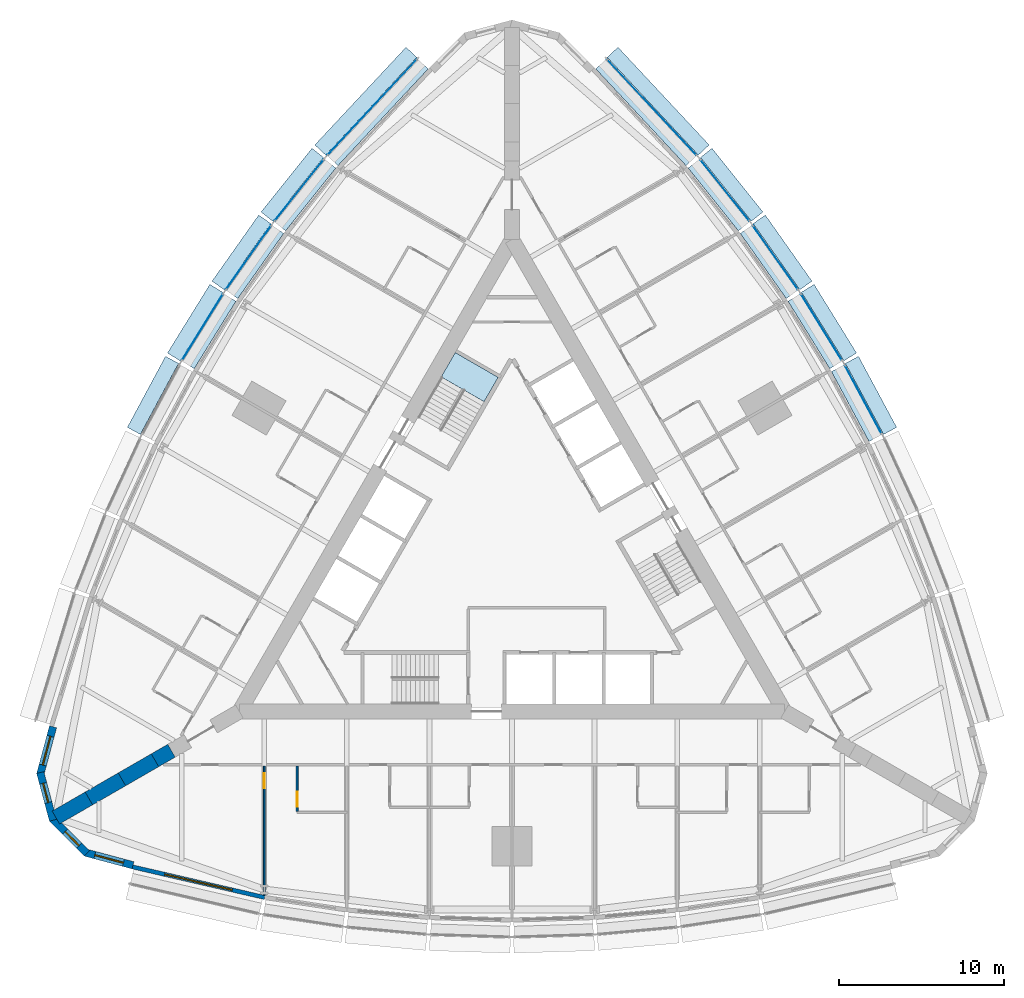
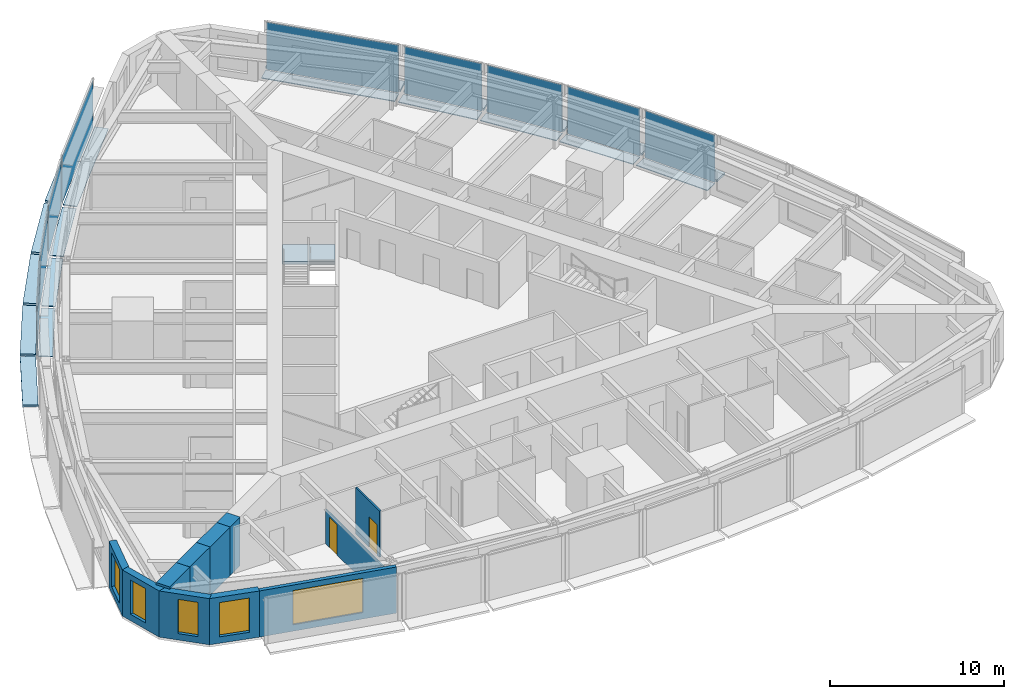
# One storey, part 7 of 14: 28 plates, 11 walls, 5 windows, 2 doors, 1 slab, 7 openings, 10 elements without a shape of their own.
"""IFC4 building model written with IfcOpenShell, lengths in metres."""

from ifc_helpers import new_model, si_unit, direction, frame, frame_2d, origin, origin_2d, place, context, subcontext, project, spatial, polyline, rectangle, outline, extrude, material, layer, layer_set, type_object, element, fill, aggregate, save


model = new_model("IFC4")

# Units and contexts
model_context = context("Model", 3, precision=1e-05, world=origin(), true_north=direction((0.0, 1.0)))
body_context = subcontext(model_context, "Body", "Model", "MODEL_VIEW")
ifc_project = project(units=[si_unit("LENGTHUNIT", "METRE"), si_unit("AREAUNIT", "SQUARE_METRE"), si_unit("VOLUMEUNIT", "CUBIC_METRE"), si_unit("PLANEANGLEUNIT", "RADIAN"), si_unit("MASSUNIT", "GRAM", prefix="KILO")], contexts=[model_context])

# Site, building, storey
site_placement = place(None, origin())
site = spatial("IfcSite", under=ifc_project, at=site_placement, CompositionType="ELEMENT")
building_placement = place(site_placement, origin())
building = spatial("IfcBuilding", under=site, at=building_placement, Name="Trikona Tower", CompositionType="ELEMENT")
storey_placement = place(building_placement, frame((0.0, 0.0, 35.300048828125)))
storey = spatial("IfcBuildingStorey", under=building, at=storey_placement, Name="L07", CompositionType="ELEMENT", Elevation=35.300048828125)

# Plates
ifc_material_1 = material(Name="Aluminium bar grating", Category="aluminium")
ifc_layer_1 = layer(ifc_material_1, 0.050048828125)
ifc_layer_set_1 = layer_set([ifc_layer_1], Name="Cavity catwalk grating")
plate_type_1 = type_object("IfcPlateType", Name="Cavity catwalk grating", PredefinedType="USERDEFINED", material=ifc_layer_set_1)
for number, where, z_axis, x_axis, name in (
    (1, (20.833740234375, 9.127197265625, -0.05029296875), (0.0, 0.0, 1.0), (-0.473422672721, 0.880835383572, 0.0), "Cavity catwalk L07-15"),
    (2, (18.3212890625, 13.47900390625, -0.05029296875), (0.0, 0.0, 1.0), (-0.526118935114, 0.85041099835, 0.0), "Cavity catwalk L07-16"),
):
    element("IfcPlate", number, at=place(storey_placement, frame(where, z_axis=z_axis, x_axis=x_axis)), inside=storey, type_object=plate_type_1, Name=name, ObjectType="CATWALK GRATING", PredefinedType="USERDEFINED", context=body_context, shape_type="SweptSolid", body=[
        extrude(rectangle(XDim=4.80224609375, YDim=0.820068359375, at=origin_2d()), origin(), (0.0, 0.0, 1.0), 0.050048828125),
    ])
plate_1_placement = place(storey_placement, frame((15.544189453125, 17.677734375, -0.05029296875), z_axis=(0.0, 0.0, 1.0), x_axis=(-0.576661909499, 0.816982889743, 0.0)))
element("IfcPlate", 3, at=plate_1_placement, inside=storey, type_object=plate_type_1, Name="Cavity catwalk L07-17", ObjectType="CATWALK GRATING", PredefinedType="USERDEFINED", context=body_context, shape_type="SweptSolid", body=[
    extrude(rectangle(XDim=4.82080078125, YDim=0.820068359375, at=origin_2d()), origin(), (0.0, 0.0, 1.0), 0.050048828125),
])
plate_2_placement = place(storey_placement, frame((12.502197265625, 21.72314453125, -0.05029296875), z_axis=(0.0, 0.0, 1.0), x_axis=(-0.624603618277, 0.780941944087, 0.0)))
element("IfcPlate", 4, at=plate_2_placement, inside=storey, type_object=plate_type_1, Name="Cavity catwalk L07-18", ObjectType="CATWALK GRATING", PredefinedType="USERDEFINED", context=body_context, shape_type="SweptSolid", body=[
    extrude(rectangle(XDim=4.857666015625, YDim=0.820068359375, at=origin_2d()), origin(), (0.0, 0.0, 1.0), 0.050048828125),
])
for number, where, z_axis, x_axis, name in (
    (5, (8.10107421875, 26.72314453125, -0.05029296875), (0.0, 0.0, 1.0), (-0.682298269147, 0.731073916864, 0.0), "Cavity catwalk L07-19"),
    (6, (-8.10107421875, 26.72314453125, -0.05029296875), (0.0, 0.0, 1.0), (-0.682298269147, -0.731073916864, 0.0), "Cavity catwalk L07-24"),
):
    element("IfcPlate", number, at=place(storey_placement, frame(where, z_axis=z_axis, x_axis=x_axis)), inside=storey, type_object=plate_type_1, Name=name, ObjectType="CATWALK GRATING", PredefinedType="USERDEFINED", context=body_context, shape_type="SweptSolid", body=[
        extrude(rectangle(XDim=8.01123046875, YDim=0.820068359375, at=origin_2d()), origin(), (0.0, 0.0, 1.0), 0.050048828125),
    ])
plate_3_placement = place(storey_placement, frame((-12.502197265625, 21.72314453125, -0.05029296875), z_axis=(0.0, 0.0, 1.0), x_axis=(-0.624603618277, -0.780941944087, 0.0)))
element("IfcPlate", 7, at=plate_3_placement, inside=storey, type_object=plate_type_1, Name="Cavity catwalk L07-25", ObjectType="CATWALK GRATING", PredefinedType="USERDEFINED", context=body_context, shape_type="SweptSolid", body=[
    extrude(rectangle(XDim=4.857666015625, YDim=0.820068359375, at=origin_2d()), origin(), (0.0, 0.0, 1.0), 0.050048828125),
])
plate_4_placement = place(storey_placement, frame((-15.544189453125, 17.677734375, -0.05029296875), z_axis=(0.0, 0.0, 1.0), x_axis=(-0.576661909499, -0.816982889743, 0.0)))
element("IfcPlate", 8, at=plate_4_placement, inside=storey, type_object=plate_type_1, Name="Cavity catwalk L07-26", ObjectType="CATWALK GRATING", PredefinedType="USERDEFINED", context=body_context, shape_type="SweptSolid", body=[
    extrude(rectangle(XDim=4.82080078125, YDim=0.820068359375, at=origin_2d()), origin(), (0.0, 0.0, 1.0), 0.050048828125),
])
plate_5_placement = place(storey_placement, frame((-18.3212890625, 13.47900390625, -0.05029296875), z_axis=(0.0, 0.0, 1.0), x_axis=(-0.526118935114, -0.85041099835, 0.0)))
element("IfcPlate", 9, at=plate_5_placement, inside=storey, type_object=plate_type_1, Name="Cavity catwalk L07-27", ObjectType="CATWALK GRATING", PredefinedType="USERDEFINED", context=body_context, shape_type="SweptSolid", body=[
    extrude(rectangle(XDim=4.80224609375, YDim=0.820068359375, at=origin_2d()), origin(), (0.0, 0.0, 1.0), 0.050048828125),
])

# Curtain wall, plate
ifc_material_2 = material(Name="Aluminium curtain wall system", Category="aluminium")
curtain_wall_type = type_object("IfcCurtainWallType", Name="Curtain wall DS1", PredefinedType="NOTDEFINED", material=ifc_material_2)
curtain_wall_1_placement = place(storey_placement, origin())
curtain_wall_1 = element("IfcCurtainWall", 10, at=curtain_wall_1_placement, inside=storey, type_object=curtain_wall_type, Name="Curtain wall DS1 L07", PredefinedType="NOTDEFINED")
ifc_material_3 = material(Name="Laminated clear glass", Category="glass")
ifc_layer_2 = layer(ifc_material_3, 0.028076171875)
ifc_layer_set_2 = layer_set([ifc_layer_2], Name="Glass panel DS1")
plate_type_2 = type_object("IfcPlateType", Name="Glass panel DS1", PredefinedType="CURTAIN_PANEL", material=ifc_layer_set_2)
plate_6_placement = place(storey_placement, frame((21.265380859375, 9.359130859375, 0.0), z_axis=(0.0, 0.0, 1.0), x_axis=(-0.473408350896, 0.880843080975, 0.0)))
plate_6 = element("IfcPlate", 11, at=plate_6_placement, type_object=plate_type_2, Name="CW-DS1 panel 1.1", PredefinedType="CURTAIN_PANEL", context=body_context, shape_type="SweptSolid", body=[
    extrude(rectangle(XDim=4.72216796875, YDim=0.028076171875, at=origin_2d()), origin(), (0.0, 0.0, 1.0), 3.320068359375),
])
aggregate(curtain_wall_1, [plate_6])

curtain_wall_2_placement = place(storey_placement, origin())
curtain_wall_2 = element("IfcCurtainWall", 12, at=curtain_wall_2_placement, inside=storey, type_object=curtain_wall_type, Name="Curtain wall DS1 L07", PredefinedType="NOTDEFINED")
plate_7_placement = place(storey_placement, frame((18.738037109375, 13.73681640625, 0.0), z_axis=(0.0, 0.0, 1.0), x_axis=(-0.526119790842, 0.850410468941, 0.0)))
plate_7 = element("IfcPlate", 13, at=plate_7_placement, type_object=plate_type_2, Name="CW-DS1 panel 1.1", PredefinedType="CURTAIN_PANEL", context=body_context, shape_type="SweptSolid", body=[
    extrude(rectangle(XDim=4.722412109375, YDim=0.028076171875, at=origin_2d()), origin(), (0.0, 0.0, 1.0), 3.320068359375),
])
aggregate(curtain_wall_2, [plate_7])

curtain_wall_3_placement = place(storey_placement, origin())
curtain_wall_3 = element("IfcCurtainWall", 14, at=curtain_wall_3_placement, inside=storey, type_object=curtain_wall_type, Name="Curtain wall DS1 L07", PredefinedType="NOTDEFINED")
plate_8_placement = place(storey_placement, frame((15.9443359375, 17.960205078125, 0.0), z_axis=(0.0, 0.0, 1.0), x_axis=(-0.576658362928, 0.816985393055, 0.0)))
plate_8 = element("IfcPlate", 15, at=plate_8_placement, type_object=plate_type_2, Name="CW-DS1 panel 1.1", PredefinedType="CURTAIN_PANEL", context=body_context, shape_type="SweptSolid", body=[
    extrude(rectangle(XDim=4.74072265625, YDim=0.028076171875, at=origin_2d()), origin(), (0.0, 0.0, 1.0), 3.320068359375),
])
aggregate(curtain_wall_3, [plate_8])

curtain_wall_4_placement = place(storey_placement, origin())
curtain_wall_4 = element("IfcCurtainWall", 16, at=curtain_wall_4_placement, inside=storey, type_object=curtain_wall_type, Name="Curtain wall DS1 L07", PredefinedType="NOTDEFINED")
plate_9_placement = place(storey_placement, frame((12.884765625, 22.029296875, 0.0), z_axis=(0.0, 0.0, 1.0), x_axis=(-0.624608599951, 0.780937959679, 0.0)))
plate_9 = element("IfcPlate", 17, at=plate_9_placement, type_object=plate_type_2, Name="CW-DS1 panel 1.1", PredefinedType="CURTAIN_PANEL", context=body_context, shape_type="SweptSolid", body=[
    extrude(rectangle(XDim=4.777587890625, YDim=0.028076171875, at=origin_2d()), origin(), (0.0, 0.0, 1.0), 3.320068359375),
])
aggregate(curtain_wall_4, [plate_9])

curtain_wall_5_placement = place(storey_placement, origin())
curtain_wall_5 = element("IfcCurtainWall", 18, at=curtain_wall_5_placement, inside=storey, type_object=curtain_wall_type, Name="Curtain wall DS1 L07", PredefinedType="NOTDEFINED")
plate_10_placement = place(storey_placement, frame((8.459228515625, 27.057373046875, 0.0), z_axis=(0.0, 0.0, 1.0), x_axis=(-0.682295351967, 0.731076639405, 0.0)))
plate_10 = element("IfcPlate", 19, at=plate_10_placement, type_object=plate_type_2, Name="CW-DS1 panel 1.1", PredefinedType="CURTAIN_PANEL", context=body_context, shape_type="SweptSolid", body=[
    extrude(rectangle(XDim=7.93115234375, YDim=0.028076171875, at=origin_2d()), origin(), (0.0, 0.0, 1.0), 3.320068359375),
])
aggregate(curtain_wall_5, [plate_10])

curtain_wall_6_placement = place(storey_placement, origin())
curtain_wall_6 = element("IfcCurtainWall", 20, at=curtain_wall_6_placement, inside=storey, type_object=curtain_wall_type, Name="Curtain wall DS1 L07", PredefinedType="NOTDEFINED")
plate_11_placement = place(storey_placement, frame((-8.459228515625, 27.057373046875, 0.0), z_axis=(0.0, 0.0, 1.0), x_axis=(-0.682295351967, -0.731076639405, 0.0)))
plate_11 = element("IfcPlate", 21, at=plate_11_placement, type_object=plate_type_2, Name="CW-DS1 panel 1.1", PredefinedType="CURTAIN_PANEL", context=body_context, shape_type="SweptSolid", body=[
    extrude(rectangle(XDim=7.93115234375, YDim=0.028076171875, at=origin_2d()), origin(), (0.0, 0.0, 1.0), 3.320068359375),
])
aggregate(curtain_wall_6, [plate_11])

curtain_wall_7_placement = place(storey_placement, origin())
curtain_wall_7 = element("IfcCurtainWall", 22, at=curtain_wall_7_placement, inside=storey, type_object=curtain_wall_type, Name="Curtain wall DS1 L07", PredefinedType="NOTDEFINED")
plate_12_placement = place(storey_placement, frame((-12.884765625, 22.029296875, 0.0), z_axis=(0.0, 0.0, 1.0), x_axis=(-0.624608599951, -0.780937959679, 0.0)))
plate_12 = element("IfcPlate", 23, at=plate_12_placement, type_object=plate_type_2, Name="CW-DS1 panel 1.1", PredefinedType="CURTAIN_PANEL", context=body_context, shape_type="SweptSolid", body=[
    extrude(rectangle(XDim=4.777587890625, YDim=0.028076171875, at=origin_2d()), origin(), (0.0, 0.0, 1.0), 3.320068359375),
])
aggregate(curtain_wall_7, [plate_12])

curtain_wall_8_placement = place(storey_placement, origin())
curtain_wall_8 = element("IfcCurtainWall", 24, at=curtain_wall_8_placement, inside=storey, type_object=curtain_wall_type, Name="Curtain wall DS1 L07", PredefinedType="NOTDEFINED")
plate_13_placement = place(storey_placement, frame((-15.9443359375, 17.960205078125, 0.0), z_axis=(0.0, 0.0, 1.0), x_axis=(-0.576658362928, -0.816985393055, 0.0)))
plate_13 = element("IfcPlate", 25, at=plate_13_placement, type_object=plate_type_2, Name="CW-DS1 panel 1.1", PredefinedType="CURTAIN_PANEL", context=body_context, shape_type="SweptSolid", body=[
    extrude(rectangle(XDim=4.74072265625, YDim=0.028076171875, at=origin_2d()), origin(), (0.0, 0.0, 1.0), 3.320068359375),
])
aggregate(curtain_wall_8, [plate_13])

curtain_wall_9_placement = place(storey_placement, origin())
curtain_wall_9 = element("IfcCurtainWall", 26, at=curtain_wall_9_placement, inside=storey, type_object=curtain_wall_type, Name="Curtain wall DS1 L07", PredefinedType="NOTDEFINED")
plate_14_placement = place(storey_placement, frame((-18.738037109375, 13.73681640625, 0.0), z_axis=(0.0, 0.0, 1.0), x_axis=(-0.526119790842, -0.850410468941, 0.0)))
plate_14 = element("IfcPlate", 27, at=plate_14_placement, type_object=plate_type_2, Name="CW-DS1 panel 1.1", PredefinedType="CURTAIN_PANEL", context=body_context, shape_type="SweptSolid", body=[
    extrude(rectangle(XDim=4.722412109375, YDim=0.028076171875, at=origin_2d()), origin(), (0.0, 0.0, 1.0), 3.320068359375),
])
aggregate(curtain_wall_9, [plate_14])

# Plates
ifc_material_4 = material(Name="Aluminium plate fin, pale anodised, on stainless steel outriggers", Category="steel")
ifc_layer_3 = layer(ifc_material_4, 0.14990234375)
ifc_layer_set_3 = layer_set([ifc_layer_3], Name="Outer skin fin 900")
plate_type_3 = type_object("IfcPlateType", Name="Outer skin fin 900", PredefinedType="USERDEFINED", material=ifc_layer_set_3)
for number, where, z_axis, x_axis, name in (
    (28, (21.732421875, 9.610107421875, 0.0), (0.0, 0.0, 1.0), (-0.473422672721, 0.880835383572, 0.0), "Outer skin fin L07-15"),
    (29, (19.188720703125, 14.015625, 0.0), (0.0, 0.0, 1.0), (-0.526118935114, 0.85041099835, 0.0), "Outer skin fin L07-16"),
):
    element("IfcPlate", number, at=place(storey_placement, frame(where, z_axis=z_axis, x_axis=x_axis)), inside=storey, type_object=plate_type_3, Name=name, ObjectType="FIN", PredefinedType="USERDEFINED", context=body_context, shape_type="SweptSolid", body=[
        extrude(rectangle(XDim=4.88232421875, YDim=0.89990234375, at=origin_2d()), origin(), (0.0, 0.0, 1.0), 0.14990234375),
    ])
plate_15_placement = place(storey_placement, frame((16.37744140625, 18.265869140625, 0.0), z_axis=(0.0, 0.0, 1.0), x_axis=(-0.576661909499, 0.816982889743, 0.0)))
element("IfcPlate", 30, at=plate_15_placement, inside=storey, type_object=plate_type_3, Name="Outer skin fin L07-17", ObjectType="FIN", PredefinedType="USERDEFINED", context=body_context, shape_type="SweptSolid", body=[
    extrude(rectangle(XDim=4.90087890625, YDim=0.89990234375, at=origin_2d()), origin(), (0.0, 0.0, 1.0), 0.14990234375),
])
plate_16_placement = place(storey_placement, frame((13.298583984375, 22.360107421875, 0.0), z_axis=(0.0, 0.0, 1.0), x_axis=(-0.624603618277, 0.780941944087, 0.0)))
element("IfcPlate", 31, at=plate_16_placement, inside=storey, type_object=plate_type_3, Name="Outer skin fin L07-18", ObjectType="FIN", PredefinedType="USERDEFINED", context=body_context, shape_type="SweptSolid", body=[
    extrude(rectangle(XDim=4.9375, YDim=0.89990234375, at=origin_2d()), origin(), (0.0, 0.0, 1.0), 0.14990234375),
])
for number, where, z_axis, x_axis, name in (
    (32, (8.8466796875, 27.419189453125, 0.0), (0.0, 0.0, 1.0), (-0.682298269147, 0.731073916864, 0.0), "Outer skin fin L07-19"),
    (33, (-8.8466796875, 27.419189453125, 0.0), (0.0, 0.0, 1.0), (-0.682298269147, -0.731073916864, 0.0), "Outer skin fin L07-24"),
):
    element("IfcPlate", number, at=place(storey_placement, frame(where, z_axis=z_axis, x_axis=x_axis)), inside=storey, type_object=plate_type_3, Name=name, ObjectType="FIN", PredefinedType="USERDEFINED", context=body_context, shape_type="SweptSolid", body=[
        extrude(rectangle(XDim=8.09130859375, YDim=0.89990234375, at=origin_2d()), origin(), (0.0, 0.0, 1.0), 0.14990234375),
    ])
plate_17_placement = place(storey_placement, frame((-13.298583984375, 22.360107421875, 0.0), z_axis=(0.0, 0.0, 1.0), x_axis=(-0.624603618277, -0.780941944087, 0.0)))
element("IfcPlate", 34, at=plate_17_placement, inside=storey, type_object=plate_type_3, Name="Outer skin fin L07-25", ObjectType="FIN", PredefinedType="USERDEFINED", context=body_context, shape_type="SweptSolid", body=[
    extrude(rectangle(XDim=4.9375, YDim=0.89990234375, at=origin_2d()), origin(), (0.0, 0.0, 1.0), 0.14990234375),
])
plate_18_placement = place(storey_placement, frame((-16.37744140625, 18.265869140625, 0.0), z_axis=(0.0, 0.0, 1.0), x_axis=(-0.576661909499, -0.816982889743, 0.0)))
element("IfcPlate", 35, at=plate_18_placement, inside=storey, type_object=plate_type_3, Name="Outer skin fin L07-26", ObjectType="FIN", PredefinedType="USERDEFINED", context=body_context, shape_type="SweptSolid", body=[
    extrude(rectangle(XDim=4.90087890625, YDim=0.89990234375, at=origin_2d()), origin(), (0.0, 0.0, 1.0), 0.14990234375),
])
for number, where, z_axis, x_axis, name in (
    (36, (-19.188720703125, 14.015625, 0.0), (0.0, 0.0, 1.0), (-0.526118935114, -0.85041099835, 0.0), "Outer skin fin L07-27"),
    (37, (-21.732421875, 9.610107421875, 0.0), (0.0, 0.0, 1.0), (-0.473422672721, -0.880835383572, 0.0), "Outer skin fin L07-28"),
):
    element("IfcPlate", number, at=place(storey_placement, frame(where, z_axis=z_axis, x_axis=x_axis)), inside=storey, type_object=plate_type_3, Name=name, ObjectType="FIN", PredefinedType="USERDEFINED", context=body_context, shape_type="SweptSolid", body=[
        extrude(rectangle(XDim=4.88232421875, YDim=0.89990234375, at=origin_2d()), origin(), (0.0, 0.0, 1.0), 0.14990234375),
    ])

# Stair, slab
ifc_material_5 = material(Name="Concrete f'c 5000 psi", Category="concrete")
stair_type = type_object("IfcStairType", Name="Core stair", PredefinedType="HALF_TURN_STAIR", material=ifc_material_5)
stair_placement = place(storey_placement, origin())
stair = element("IfcStair", 38, at=stair_placement, inside=storey, type_object=stair_type, Name="Stair C L07", PredefinedType="HALF_TURN_STAIR")
ifc_material_6 = material(Name="Concrete f'c 5000 psi", Category="concrete")
ifc_layer_4 = layer(ifc_material_6, 0.199951171875)
ifc_layer_set_4 = layer_set([ifc_layer_4], Name="Stair landing 200")
slab_type = type_object("IfcSlabType", Name="Stair landing 200", PredefinedType="LANDING", material=ifc_layer_set_4)
slab_placement = place(storey_placement, frame((0.0, 0.0, 1.5)))
slab = element("IfcSlab", 39, at=slab_placement, type_object=slab_type, Name="ST-C landing 2", PredefinedType="LANDING", context=body_context, shape_type="SweptSolid", body=[
    extrude(outline(polyline([(-0.837158203125, 10.702392578125), (-1.688720703125, 9.2275390625), (-4.286865234375, 10.7275390625), (-3.435302734375, 12.202392578125), (-0.837158203125, 10.702392578125)])), origin(), (0.0, 0.0, 1.0), 0.199951171875),
])
aggregate(stair, [slab])

# Wall, opening, door
ifc_material_7 = material(Name="Metal stud and cement board", Category="gypsum")
ifc_layer_5 = layer(ifc_material_7, 0.1201171875)
ifc_layer_set_5 = layer_set([ifc_layer_5], Name="Bathroom wall 120")
wall_type_1 = type_object("IfcWallType", Name="Bathroom wall 120", PredefinedType="PLUMBINGWALL", material=ifc_layer_set_5)
wall_1_placement = place(storey_placement, frame((-13.0, -12.826416015625, 0.0), z_axis=(0.0, 0.0, 1.0), x_axis=(0.0, -1.0, 0.0)))
wall_1 = element("IfcWall", 40, at=wall_1_placement, inside=storey, type_object=wall_type_1, Name="Bathroom wall 0701.1", PredefinedType="PLUMBINGWALL", context=body_context, shape_type="SweptSolid", body=[
    extrude(rectangle(XDim=2.739990234375, YDim=0.1201171875, at=frame_2d((1.3701171875, 0.0))), origin(), (0.0, 0.0, 1.0), 3.23486328125),
])
opening_1_placement = place(wall_1_placement, frame((1.550048828125, 0.0, 0.0)))
opening_1 = element("IfcOpeningElement", 41, at=opening_1_placement, cuts=wall_1, Name="Opening D2", PredefinedType="OPENING", context=body_context, shape_type="SweptSolid", body=[
    extrude(rectangle(XDim=0.89990234375, YDim=2.1298828125, at=frame_2d((0.449951171875, 1.06494140625))), frame((0.0, 0.070068359375, 0.0), z_axis=(0.0, -1.0, 0.0), x_axis=(1.0, 0.0, 0.0)), (0.0, 0.0, 1.0), 0.14013671875),
])
ifc_material_8 = material(Name="Steel door frame with solid-core timber leaf", Category="steel")
door_type_1 = type_object("IfcDoorType", Name="Bathroom door 900x2130", OperationType="SLIDING_TO_LEFT", PredefinedType="DOOR", material=ifc_material_8)
door_1_placement = place(opening_1_placement, origin())
door_1 = element("IfcDoor", 42, at=door_1_placement, inside=storey, type_object=door_type_1, Name="Bathroom door 0701.1", OperationType="SLIDING_TO_LEFT", OverallHeight=2.1298828125, OverallWidth=0.89990234375, PredefinedType="DOOR", context=body_context, shape_type="SweptSolid", body=[
    extrude(rectangle(XDim=0.89990234375, YDim=2.1298828125, at=frame_2d((0.449951171875, 1.06494140625))), frame((0.0, 0.02490234375, 0.0), z_axis=(0.0, -1.0, 0.0), x_axis=(1.0, 0.0, 0.0)), (0.0, 0.0, 1.0), 0.050048828125),
])
fill(opening_1, door_1)

# Wall, opening, window
ifc_material_9 = material(Name="Brick-faced precast concrete", Category="masonry")
ifc_layer_6 = layer(ifc_material_9, 0.449951171875)
ifc_layer_set_6 = layer_set([ifc_layer_6], Name="Brick-faced corner wall 450")
wall_type_2 = type_object("IfcWallType", Name="Brick-faced corner wall 450", PredefinedType="SOLIDWALL", material=ifc_layer_set_6)
wall_2_placement = place(storey_placement, frame((-27.78271484375, -10.450439453125, 0.0), z_axis=(0.0, 0.0, 1.0), x_axis=(-0.258780998834, -0.965936019953, 0.0)))
wall_2 = element("IfcWall", 43, at=wall_2_placement, inside=storey, type_object=wall_type_2, Name="External wall L07-32", PredefinedType="SOLIDWALL", context=body_context, shape_type="SweptSolid", body=[
    extrude(rectangle(XDim=2.98876953125, YDim=0.449951171875, at=frame_2d((1.494384765625, 0.0))), origin(), (0.0, 0.0, 1.0), 3.23486328125),
])
opening_2_placement = place(wall_2_placement, frame((0.59423828125, 0.0, 0.449951171875)))
opening_2 = element("IfcOpeningElement", 44, at=opening_2_placement, cuts=wall_2, Name="Opening W1824", PredefinedType="OPENING", context=body_context, shape_type="SweptSolid", body=[
    extrude(rectangle(XDim=1.800048828125, YDim=2.39990234375, at=frame_2d((0.89990234375, 1.199951171875))), frame((0.0, 0.23486328125, 0.0), z_axis=(0.0, -1.0, 0.0), x_axis=(1.0, 0.0, 0.0)), (0.0, 0.0, 1.0), 0.469970703125),
])
ifc_material_10 = material(Name="Aluminium-framed double glazing", Category="aluminium")
window_type_1 = type_object("IfcWindowType", Name="Window 1800x2400", PartitioningType="SINGLE_PANEL", PredefinedType="WINDOW", material=ifc_material_10)
window_1_placement = place(opening_2_placement, origin())
window_1 = element("IfcWindow", 45, at=window_1_placement, inside=storey, type_object=window_type_1, Name="Window 0718", OverallHeight=2.39990234375, OverallWidth=1.800048828125, PartitioningType="SINGLE_PANEL", PredefinedType="WINDOW", context=body_context, shape_type="SweptSolid", body=[
    extrude(rectangle(XDim=1.800048828125, YDim=2.39990234375, at=frame_2d((0.89990234375, 1.199951171875))), frame((0.0, 0.030029296875, 0.0), z_axis=(0.0, -1.0, 0.0), x_axis=(1.0, 0.0, 0.0)), (0.0, 0.0, 1.0), 0.06005859375),
])
fill(opening_2, window_1)

wall_3_placement = place(storey_placement, frame((-28.55615234375, -13.220947265625, 0.0), z_axis=(0.0, 0.0, 1.0), x_axis=(0.258801419081, -0.965930548995, 0.0)))
wall_3 = element("IfcWall", 46, at=wall_3_placement, inside=storey, type_object=wall_type_2, Name="External wall L07-33", PredefinedType="SOLIDWALL", context=body_context, shape_type="SweptSolid", body=[
    extrude(outline(polyline([(2.988525390625, 0.22509765625), (2.928955078125, 0.22509765625), (2.437255859375, 0.09326171875), (2.402099609375, 0.22509765625), (0.0, 0.22509765625), (0.0, -0.22509765625), (2.988525390625, -0.22509765625), (2.988525390625, 0.22509765625)])), origin(), (0.0, 0.0, 1.0), 3.23486328125),
])
opening_3_placement = place(wall_3_placement, frame((0.676025390625, 0.0, 0.449951171875)))
opening_3 = element("IfcOpeningElement", 47, at=opening_3_placement, cuts=wall_3, Name="Opening W1224", PredefinedType="OPENING", context=body_context, shape_type="SweptSolid", body=[
    extrude(rectangle(XDim=1.199951171875, YDim=2.39990234375, at=frame_2d((0.60009765625, 1.199951171875))), frame((0.0, 0.23486328125, 0.0), z_axis=(0.0, -1.0, 0.0), x_axis=(1.0, 0.0, 0.0)), (0.0, 0.0, 1.0), 0.469970703125),
])
ifc_material_11 = material(Name="Aluminium-framed double glazing", Category="aluminium")
window_type_2 = type_object("IfcWindowType", Name="Window 1200x2400", PartitioningType="SINGLE_PANEL", PredefinedType="WINDOW", material=ifc_material_11)
window_2_placement = place(opening_3_placement, origin())
window_2 = element("IfcWindow", 48, at=window_2_placement, inside=storey, type_object=window_type_2, Name="Window 0718", OverallHeight=2.39990234375, OverallWidth=1.199951171875, PartitioningType="SINGLE_PANEL", PredefinedType="WINDOW", context=body_context, shape_type="SweptSolid", body=[
    extrude(rectangle(XDim=1.199951171875, YDim=2.39990234375, at=frame_2d((0.60009765625, 1.199951171875))), frame((0.0, 0.030029296875, 0.0), z_axis=(0.0, -1.0, 0.0), x_axis=(1.0, 0.0, 0.0)), (0.0, 0.0, 1.0), 0.06005859375),
])
fill(opening_3, window_2)

wall_4_placement = place(storey_placement, frame((-27.8408203125, -16.006591796875, 0.0), z_axis=(0.0, 0.0, 1.0), x_axis=(0.707025086683, -0.707188466253, 0.0)))
wall_4 = element("IfcWall", 49, at=wall_4_placement, inside=storey, type_object=wall_type_2, Name="External wall L07-34", PredefinedType="SOLIDWALL", context=body_context, shape_type="SweptSolid", body=[
    extrude(outline(polyline([(2.988525390625, 0.22509765625), (0.58642578125, 0.22509765625), (0.551025390625, 0.093017578125), (0.058837890625, 0.22509765625), (0.0, 0.22509765625), (0.0, -0.22509765625), (2.988525390625, -0.22509765625), (2.988525390625, 0.22509765625)])), origin(), (0.0, 0.0, 1.0), 3.23486328125),
])
opening_4_placement = place(wall_4_placement, frame((1.112548828125, 0.0, 0.449951171875)))
opening_4 = element("IfcOpeningElement", 50, at=opening_4_placement, cuts=wall_4, Name="Opening W1224", PredefinedType="OPENING", context=body_context, shape_type="SweptSolid", body=[
    extrude(rectangle(XDim=1.199951171875, YDim=2.39990234375, at=frame_2d((0.60009765625, 1.199951171875))), frame((0.0, 0.23486328125, 0.0), z_axis=(0.0, -1.0, 0.0), x_axis=(1.0, 0.0, 0.0)), (0.0, 0.0, 1.0), 0.469970703125),
])
window_3_placement = place(opening_4_placement, origin())
window_3 = element("IfcWindow", 51, at=window_3_placement, inside=storey, type_object=window_type_2, Name="Window 0701", OverallHeight=2.39990234375, OverallWidth=1.199951171875, PartitioningType="SINGLE_PANEL", PredefinedType="WINDOW", context=body_context, shape_type="SweptSolid", body=[
    extrude(rectangle(XDim=1.199951171875, YDim=2.39990234375, at=frame_2d((0.60009765625, 1.199951171875))), frame((0.0, 0.030029296875, 0.0), z_axis=(0.0, -1.0, 0.0), x_axis=(1.0, 0.0, 0.0)), (0.0, 0.0, 1.0), 0.06005859375),
])
fill(opening_4, window_3)

wall_5_placement = place(storey_placement, frame((-25.82861328125, -18.061767578125, 0.0), z_axis=(0.0, 0.0, 1.0), x_axis=(0.965930548995, -0.258801419081, 0.0)))
wall_5 = element("IfcWall", 52, at=wall_5_placement, inside=storey, type_object=wall_type_2, Name="External wall L07-35", PredefinedType="SOLIDWALL", context=body_context, shape_type="SweptSolid", body=[
    extrude(rectangle(XDim=2.988525390625, YDim=0.449951171875, at=frame_2d((1.494140625, 0.0))), origin(), (0.0, 0.0, 1.0), 3.23486328125),
])
opening_5_placement = place(wall_5_placement, frame((0.59423828125, 0.0, 0.449951171875)))
opening_5 = element("IfcOpeningElement", 53, at=opening_5_placement, cuts=wall_5, Name="Opening W1824", PredefinedType="OPENING", context=body_context, shape_type="SweptSolid", body=[
    extrude(rectangle(XDim=1.800048828125, YDim=2.39990234375, at=frame_2d((0.89990234375, 1.199951171875))), frame((0.0, 0.23486328125, 0.0), z_axis=(0.0, -1.0, 0.0), x_axis=(1.0, 0.0, 0.0)), (0.0, 0.0, 1.0), 0.469970703125),
])
window_4_placement = place(opening_5_placement, origin())
window_4 = element("IfcWindow", 54, at=window_4_placement, inside=storey, type_object=window_type_1, Name="Window 0701", OverallHeight=2.39990234375, OverallWidth=1.800048828125, PartitioningType="SINGLE_PANEL", PredefinedType="WINDOW", context=body_context, shape_type="SweptSolid", body=[
    extrude(rectangle(XDim=1.800048828125, YDim=2.39990234375, at=frame_2d((0.89990234375, 1.199951171875))), frame((0.0, 0.030029296875, 0.0), z_axis=(0.0, -1.0, 0.0), x_axis=(1.0, 0.0, 0.0)), (0.0, 0.0, 1.0), 0.06005859375),
])
fill(opening_5, window_4)

# Walls
ifc_material_12 = material(Name="Concrete f'c 10000 psi", Category="concrete")
ifc_layer_7 = layer(ifc_material_12, 0.89990234375)
ifc_layer_set_7 = layer_set([ifc_layer_7], Name="Buttress wall 900")
wall_type_3 = type_object("IfcWallType", Name="Buttress wall 900", PredefinedType="SHEAR", material=ifc_layer_set_7)
wall_6_placement = place(storey_placement, frame((-20.6103515625, -11.8994140625, 0.0), z_axis=(0.0, 0.0, 1.0), x_axis=(-0.866009537788, -0.500027479704, 0.0)))
element("IfcWall", 55, at=wall_6_placement, inside=storey, type_object=wall_type_3, Name="Buttress wall 3 part 2", PredefinedType="SHEAR", context=body_context, shape_type="SweptSolid", body=[
    extrude(rectangle(XDim=1.15478515625, YDim=0.89990234375, at=frame_2d((0.577392578125, 0.0))), origin(), (0.0, 0.0, 1.0), 3.39990234375),
])
for number, where, z_axis, x_axis, name in (
    (56, (-21.6103515625, -12.476806640625, 0.0), (0.0, 0.0, 1.0), (-0.866055313784, -0.499948190782, 0.0), "Buttress wall 3 part 3"),
    (57, (-23.6103515625, -13.63134765625, 0.0), (0.0, 0.0, 1.0), (-0.866009537788, -0.500027479704, 0.0), "Buttress wall 3 part 4"),
    (58, (-25.6103515625, -14.7861328125, 0.0), (0.0, 0.0, 1.0), (-0.866009537788, -0.500027479704, 0.0), "Buttress wall 3 part 5"),
):
    element("IfcWall", number, at=place(storey_placement, frame(where, z_axis=z_axis, x_axis=x_axis)), inside=storey, type_object=wall_type_3, Name=name, PredefinedType="SHEAR", context=body_context, shape_type="SweptSolid", body=[
        extrude(rectangle(XDim=2.309326171875, YDim=0.89990234375, at=frame_2d((1.15478515625, 0.0))), origin(), (0.0, 0.0, 1.0), 3.39990234375),
    ])

# Wall, opening, window
ifc_material_13 = material(Name="Insulated precast concrete spandrel panel", Category="concrete")
ifc_layer_8 = layer(ifc_material_13, 0.25)
ifc_layer_set_8 = layer_set([ifc_layer_8], Name="Inner skin wall 250")
wall_type_4 = type_object("IfcWallType", Name="Inner skin wall 250", PredefinedType="STANDARD", material=ifc_layer_set_8)
wall_7_placement = place(storey_placement, frame((-22.9716796875, -18.930908203125, 0.0), z_axis=(0.0, 0.0, 1.0), x_axis=(0.974279327392, -0.225343720163, 0.0)))
wall_7 = element("IfcWall", 59, at=wall_7_placement, inside=storey, type_object=wall_type_4, Name="External wall L07-00", PredefinedType="STANDARD", context=body_context, shape_type="SweptSolid", body=[
    extrude(rectangle(XDim=8.211181640625, YDim=0.25, at=frame_2d((4.10546875, 0.0))), origin(), (0.0, 0.0, 1.0), 3.23486328125),
])
opening_6_placement = place(wall_7_placement, frame((2.005615234375, 0.0, 0.449951171875)))
opening_6 = element("IfcOpeningElement", 60, at=opening_6_placement, cuts=wall_7, Name="Opening W4224", PredefinedType="OPENING", context=body_context, shape_type="SweptSolid", body=[
    extrude(rectangle(XDim=4.199951171875, YDim=2.39990234375, at=frame_2d((2.10009765625, 1.199951171875))), frame((0.0, 0.135009765625, 0.0), z_axis=(0.0, -1.0, 0.0), x_axis=(1.0, 0.0, 0.0)), (0.0, 0.0, 1.0), 0.27001953125),
])
ifc_material_14 = material(Name="Aluminium-framed double glazing", Category="aluminium")
window_type_3 = type_object("IfcWindowType", Name="Window 4200x2400", PartitioningType="SINGLE_PANEL", PredefinedType="WINDOW", material=ifc_material_14)
window_5_placement = place(opening_6_placement, origin())
window_5 = element("IfcWindow", 61, at=window_5_placement, inside=storey, type_object=window_type_3, Name="Window 0701", OverallHeight=2.39990234375, OverallWidth=4.199951171875, PartitioningType="SINGLE_PANEL", PredefinedType="WINDOW", context=body_context, shape_type="SweptSolid", body=[
    extrude(rectangle(XDim=4.199951171875, YDim=2.39990234375, at=frame_2d((2.10009765625, 1.199951171875))), frame((0.0, 0.030029296875, 0.0), z_axis=(0.0, -1.0, 0.0), x_axis=(1.0, 0.0, 0.0)), (0.0, 0.0, 1.0), 0.06005859375),
])
fill(opening_6, window_5)

# Wall, opening, door
ifc_material_15 = material(Name="Metal stud and gypsum board, acoustic", Category="gypsum")
ifc_layer_9 = layer(ifc_material_15, 0.10009765625)
ifc_layer_set_9 = layer_set([ifc_layer_9], Name="Suite partition 100")
wall_type_5 = type_object("IfcWallType", Name="Suite partition 100", PredefinedType="PARTITIONING", material=ifc_layer_set_9)
wall_8_placement = place(storey_placement, frame((-15.0, -12.826416015625, 0.0), z_axis=(0.0, 0.0, 1.0), x_axis=(0.0, -1.0, 0.0)))
wall_8 = element("IfcWall", 62, at=wall_8_placement, inside=storey, type_object=wall_type_5, Name="Suite partition L07 F1 u-15", PredefinedType="PARTITIONING", context=body_context, shape_type="SweptSolid", body=[
    extrude(rectangle(XDim=7.820068359375, YDim=0.10009765625, at=frame_2d((3.91015625, 0.0))), origin(), (0.0, 0.0, 1.0), 2.38916015625),
])
opening_7_placement = place(wall_8_placement, frame((0.449951171875, 0.0, 0.0)))
opening_7 = element("IfcOpeningElement", 63, at=opening_7_placement, cuts=wall_8, Name="Opening D13", PredefinedType="OPENING", context=body_context, shape_type="SweptSolid", body=[
    extrude(rectangle(XDim=0.89990234375, YDim=2.1298828125, at=frame_2d((0.449951171875, 1.06494140625))), frame((0.0, 0.06005859375, 0.0), z_axis=(0.0, -1.0, 0.0), x_axis=(1.0, 0.0, 0.0)), (0.0, 0.0, 1.0), 0.1201171875),
])
ifc_material_16 = material(Name="Steel door frame with solid-core timber leaf", Category="steel")
door_type_2 = type_object("IfcDoorType", Name="Suite door 900x2130", OperationType="SINGLE_SWING_LEFT", PredefinedType="DOOR", material=ifc_material_16)
door_2_placement = place(opening_7_placement, origin())
door_2 = element("IfcDoor", 64, at=door_2_placement, inside=storey, type_object=door_type_2, Name="Suite door 0701", OperationType="SINGLE_SWING_LEFT", OverallHeight=2.1298828125, OverallWidth=0.89990234375, PredefinedType="DOOR", context=body_context, shape_type="SweptSolid", body=[
    extrude(rectangle(XDim=0.89990234375, YDim=2.1298828125, at=frame_2d((0.449951171875, 1.06494140625))), frame((0.0, 0.02490234375, 0.0), z_axis=(0.0, -1.0, 0.0), x_axis=(1.0, 0.0, 0.0)), (0.0, 0.0, 1.0), 0.050048828125),
])
fill(opening_7, door_2)

save(model, "model.ifc")
